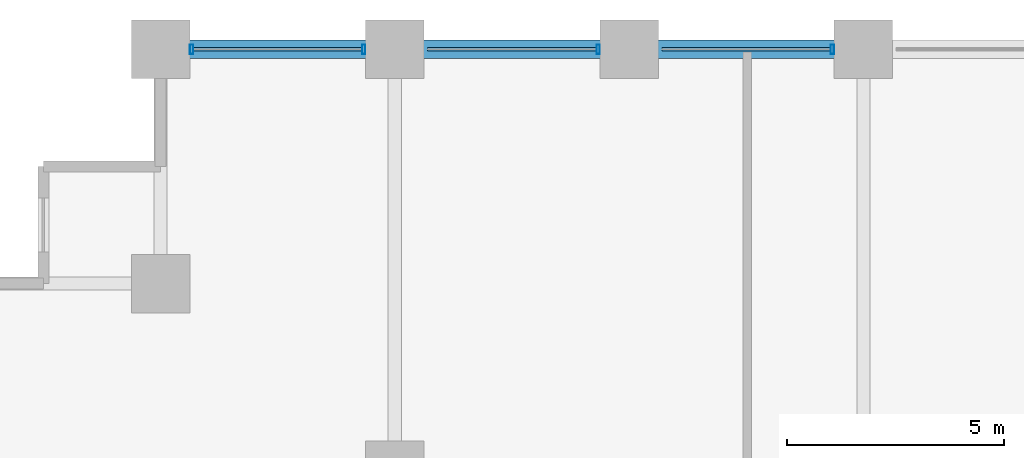
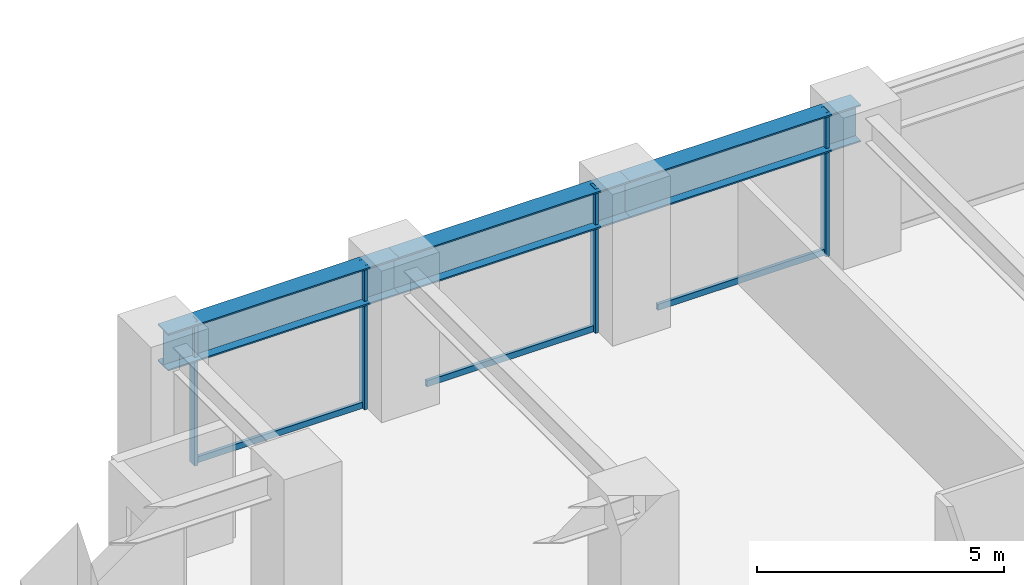
# One storey, part 12 of 25: 7 members, 3 beams, 1 element without a shape of its own.
"""IFC4 building model written with IfcOpenShell, lengths in metres."""

import ifcopenshell
import ifcopenshell.guid

model = None  # the IFC model being written
_history = None  # IfcOwnerHistory: only IFC2X3 demands one
_inside = {}  # id of a spatial element -> (the spatial element, [elements in it])
_under = {}  # id of a project, library or spatial element -> (it, [spatial elements below it])
_declared = {}  # id of a project -> (the project, [libraries it declares])
_typed = {}  # id of a type object -> (the type object, [elements of that type])
_made_of = {}  # id of a material, layer set ... -> (it, [elements and type objects made of it])


def new_model(schema):
    """Start an empty IFC model of exactly this schema.

    Asked for "IFC4X3", IfcOpenShell would pick the latest addendum, in which some entities
    have other attributes; the version numbers below select the first issue.
    IFC2X3 requires an IfcOwnerHistory on every rooted entity: one is made here for all.
    """
    global model, _history
    if schema == "IFC4X3":
        model = ifcopenshell.file(schema_version=(4, 3, 0, 0))
    else:
        model = ifcopenshell.file(schema=schema)
    _inside.clear()
    _under.clear()
    _declared.clear()
    _typed.clear()
    _made_of.clear()
    _history = None
    if model.schema == "IFC2X3":
        org = make("IfcOrganization", Name="unknown")
        user = make(
            "IfcPersonAndOrganization",
            ThePerson=make("IfcPerson", FamilyName="unknown"),
            TheOrganization=org,
        )
        app = make(
            "IfcApplication",
            ApplicationDeveloper=org,
            Version="unknown",
            ApplicationFullName="unknown",
            ApplicationIdentifier="unknown",
        )
        _history = make(
            "IfcOwnerHistory",
            OwningUser=user,
            OwningApplication=app,
            ChangeAction="ADDED",
            CreationDate=0,
        )
    return model


def make(cls, **values):
    """One entity of the class cls with the attributes given. An attribute that is None is left unset."""
    return model.create_entity(
        cls, **{name: value for name, value in values.items() if value is not None}
    )


def rooted(cls, **values):
    """An entity with a GlobalId (a new one), such as an element, a storey or a relation."""
    return make(cls, GlobalId=ifcopenshell.guid.new(), OwnerHistory=_history, **values)


def si_unit(unit_type, name, prefix=None):
    """IfcSIUnit, for example si_unit("LENGTHUNIT", "METRE", prefix="MILLI")."""
    return make("IfcSIUnit", UnitType=unit_type, Prefix=prefix, Name=name)


def assignment(units):
    """IfcUnitAssignment: the units of a project."""
    return None if units is None else make("IfcUnitAssignment", Units=units)


def point(xyz):
    """IfcCartesianPoint."""
    return None if xyz is None else make("IfcCartesianPoint", Coordinates=xyz)


def direction(xyz):
    """IfcDirection."""
    return None if xyz is None else make("IfcDirection", DirectionRatios=xyz)


def frame(location, z_axis=None, x_axis=None):
    """IfcAxis2Placement3D, a coordinate frame: its origin and axes. An axis left out is left unset."""
    return make(
        "IfcAxis2Placement3D",
        Location=point(location),
        Axis=direction(z_axis),
        RefDirection=direction(x_axis),
    )


def frame_2d(location, x_axis=None):
    """IfcAxis2Placement2D, a coordinate frame in the plane: its origin and x axis."""
    return make(
        "IfcAxis2Placement2D", Location=point(location), RefDirection=direction(x_axis)
    )


def origin():
    """The frame at (0, 0, 0) with its axes left unset."""
    return frame((0.0, 0.0, 0.0))


def origin_2d():
    """The frame at (0, 0) in the plane with its x axis left unset."""
    return frame_2d((0.0, 0.0))


def place(relative_to, where):
    """IfcLocalPlacement: puts the frame where relative to a parent placement (None: the world)."""
    return make(
        "IfcLocalPlacement", PlacementRelTo=relative_to, RelativePlacement=where
    )


def context(
    kind, dimensions, precision=None, world=None, true_north=None, identifier=None
):
    """IfcGeometricRepresentationContext, for example the 3D "Model" context."""
    return make(
        "IfcGeometricRepresentationContext",
        ContextIdentifier=identifier,
        ContextType=kind,
        CoordinateSpaceDimension=dimensions,
        Precision=precision,
        WorldCoordinateSystem=world,
        TrueNorth=true_north,
    )


def subcontext(parent, identifier, kind, view, scale=None):
    """IfcGeometricRepresentationSubContext, for example "Body" below "Model"."""
    return make(
        "IfcGeometricRepresentationSubContext",
        ContextIdentifier=identifier,
        ContextType=kind,
        ParentContext=parent,
        TargetScale=scale,
        TargetView=view,
    )


def project(units=None, contexts=None):
    """IfcProject with its units and contexts."""
    return rooted(
        "IfcProject",
        Name="project",
        RepresentationContexts=contexts,
        UnitsInContext=assignment(units),
    )


def spatial(cls, under=None, at=None, **own):
    """A site, building, storey or space (cls), placed at a placement, below another one or the project."""
    s = rooted(cls, ObjectPlacement=at, **own)
    if under is not None:
        _under.setdefault(under.id(), (under, []))[1].append(s)
    return s


def profile(cls, at=None, kind="AREA", **sizes):
    """A parametric profile (cls). Its sizes go by their IFC names, for example OverallWidth=200.0."""
    return make(cls, ProfileType=kind, Position=at, **sizes)


def hollow_rectangle(**sizes):
    """IfcRectangleHollowProfileDef."""
    return profile("IfcRectangleHollowProfileDef", **sizes)


def i_section(**sizes):
    """IfcIShapeProfileDef."""
    return profile("IfcIShapeProfileDef", **sizes)


def extrude(swept, where, along, depth):
    """IfcExtrudedAreaSolid: the profile swept, set in the frame where, extruded along a direction by depth."""
    return make(
        "IfcExtrudedAreaSolid",
        SweptArea=swept,
        Position=where,
        ExtrudedDirection=direction(along),
        Depth=depth,
    )


def shape(context_of_items, identifier, shape_type, items):
    """IfcShapeRepresentation: the items that make up one representation, for example the "Body"."""
    return make(
        "IfcShapeRepresentation",
        ContextOfItems=context_of_items,
        RepresentationIdentifier=identifier,
        RepresentationType=shape_type,
        Items=items,
    )


def material(Name=None, Category=None):
    """IfcMaterial."""
    return make("IfcMaterial", Name=Name, Category=Category)


def layer(
    of_material, thickness, ventilated=None, Name=None, Category=None, Priority=None
):
    """IfcMaterialLayer: one layer of a wall or slab, of a material (None: an air gap)."""
    return make(
        "IfcMaterialLayer",
        Material=of_material,
        LayerThickness=thickness,
        IsVentilated=ventilated,
        Name=Name,
        Category=Category,
        Priority=Priority,
    )


def layer_set(layers, Name=None):
    """IfcMaterialLayerSet."""
    return make("IfcMaterialLayerSet", MaterialLayers=layers, LayerSetName=Name)


def material_profile(
    of_material, cross_section, Name=None, Category=None, Priority=None
):
    """IfcMaterialProfile: a cross section and its material."""
    return make(
        "IfcMaterialProfile",
        Name=Name,
        Material=of_material,
        Profile=cross_section,
        Priority=Priority,
        Category=Category,
    )


def profile_set(profiles, Name=None, composite=None):
    """IfcMaterialProfileSet."""
    return make(
        "IfcMaterialProfileSet",
        Name=Name,
        MaterialProfiles=profiles,
        CompositeProfile=composite,
    )


def made_of(thing, what):
    """Note that an element or type object is made of a material, layer set ...; save() writes the relation."""
    if what is not None:
        _made_of.setdefault(what.id(), (what, []))[1].append(thing)
    return thing


def type_object(cls, material=None, **own):
    """A type object (cls), such as IfcWallType, which elements share."""
    return made_of(rooted(cls, **own), material)


def element(
    cls,
    number,
    at=None,
    inside=None,
    cuts=None,
    type_object=None,
    material=None,
    context=None,
    identifier="Body",
    shape_type=None,
    held_by="IfcProductDefinitionShape",
    body=None,
    shapes=None,
    **own,
):
    """One element of the class cls, such as IfcWall. Its Tag is "e" and its number.

    at: its placement. inside: the storey or other place that contains it. cuts: it is an
    opening in that element (IfcRelVoidsElement). A single representation is given by context,
    identifier, shape_type and body (its items); several are given by shapes. held_by: the class
    of the entity that holds the representations. save() writes the other relations.
    """
    e = rooted(cls, Tag="e%d" % number, ObjectPlacement=at, **own)
    if body is not None:
        shapes = [shape(context, identifier, shape_type, body)]
    if shapes is not None:
        e.Representation = make(held_by, Representations=shapes)
    if inside is not None:
        _inside.setdefault(inside.id(), (inside, []))[1].append(e)
    if cuts is not None:
        rooted(
            "IfcRelVoidsElement", RelatingBuildingElement=cuts, RelatedOpeningElement=e
        )
    if type_object is not None:
        _typed.setdefault(type_object.id(), (type_object, []))[1].append(e)
    return made_of(e, material)


def aggregate(whole, parts):
    """IfcRelAggregates: a whole, such as a stair, and the parts it consists of."""
    return rooted("IfcRelAggregates", RelatingObject=whole, RelatedObjects=parts)


def save(model, path):
    """Write the relations noted so far, then the file.

    IfcRelAggregates (storeys below a building ...), IfcRelContainedInSpatialStructure (elements
    in a storey), IfcRelDefinesByType, IfcRelAssociatesMaterial and IfcRelDeclares: one each for
    every whole, place, type object, material and project.
    """
    for whole, parts in _under.values():
        aggregate(whole, parts)
    for where, things in _inside.values():
        rooted(
            "IfcRelContainedInSpatialStructure",
            RelatedElements=things,
            RelatingStructure=where,
        )
    for kind, things in _typed.values():
        rooted("IfcRelDefinesByType", RelatedObjects=things, RelatingType=kind)
    for what, things in _made_of.values():
        rooted("IfcRelAssociatesMaterial", RelatedObjects=things, RelatingMaterial=what)
    for by, libraries in _declared.values():
        rooted("IfcRelDeclares", RelatingContext=by, RelatedDefinitions=libraries)
    model.write(path)


model = new_model("IFC4")

# Units and contexts
model_context = context("Model", 3, precision=1e-05, world=origin(), true_north=direction((0.0, 1.0)))
body_context = subcontext(model_context, "Body", "Model", "MODEL_VIEW")
ifc_project = project(units=[si_unit("LENGTHUNIT", "METRE"), si_unit("AREAUNIT", "SQUARE_METRE"), si_unit("VOLUMEUNIT", "CUBIC_METRE"), si_unit("PLANEANGLEUNIT", "RADIAN"), si_unit("MASSUNIT", "GRAM", prefix="KILO")], contexts=[model_context])

# Site, building, storey
site_placement = place(None, origin())
site = spatial("IfcSite", under=ifc_project, at=site_placement, CompositionType="ELEMENT")
building_placement = place(site_placement, origin())
building = spatial("IfcBuilding", under=site, at=building_placement, Name="Surkhivell Harbour Commons", CompositionType="ELEMENT")
storey_placement = place(building_placement, frame((0.0, 0.0, 33.75)))
storey = spatial("IfcBuildingStorey", under=building, at=storey_placement, Name="L08", CompositionType="ELEMENT", Elevation=33.75)

# Beams
ifc_material_1 = material(Name="Steel S460", Category="steel")
ifc_material_profile_1 = material_profile(ifc_material_1, i_section(OverallWidth=0.419921875, OverallDepth=0.9208984375, WebThickness=0.021484375, FlangeThickness=0.03662109375, at=origin_2d()), Name="UB914x419x388")
ifc_profile_set_1 = profile_set([ifc_material_profile_1], Name="Steel S460")
beam_type = type_object("IfcBeamType", Name="BM-SPN-914A", PredefinedType="SPANDREL", material=ifc_profile_set_1)
beam_1_placement = place(storey_placement, frame((-27.0, 25.89990234375, 3.109619140625), z_axis=(1.0, 0.0, 0.0), x_axis=(0.0, 1.0, 0.0)))
element("IfcBeam", 1, at=beam_1_placement, inside=storey, type_object=beam_type, Name="L08 Tube Spandrel (-27.0,25.9)", PredefinedType="SPANDREL", context=body_context, shape_type="SweptSolid", body=[
    extrude(i_section(OverallWidth=0.419921875, OverallDepth=0.9208984375, WebThickness=0.021484375, FlangeThickness=0.03662109375, at=origin_2d()), origin(), (0.0, 0.0, 1.0), 5.39990234375),
])
beam_2_placement = place(storey_placement, frame((-21.60009765625, 25.89990234375, 3.109619140625), z_axis=(1.0, 0.0, 0.0), x_axis=(0.0, 1.0, 0.0)))
element("IfcBeam", 2, at=beam_2_placement, inside=storey, type_object=beam_type, Name="L08 Tube Spandrel (-21.6,25.9)", PredefinedType="SPANDREL", context=body_context, shape_type="SweptSolid", body=[
    extrude(i_section(OverallWidth=0.419921875, OverallDepth=0.9208984375, WebThickness=0.021484375, FlangeThickness=0.03662109375, at=origin_2d()), origin(), (0.0, 0.0, 1.0), 5.400146484375),
])
beam_3_placement = place(storey_placement, frame((-16.199951171875, 25.89990234375, 3.109619140625), z_axis=(1.0, 0.0, 0.0), x_axis=(0.0, 1.0, 0.0)))
element("IfcBeam", 3, at=beam_3_placement, inside=storey, type_object=beam_type, Name="L08 Tube Spandrel (-16.2,25.9)", PredefinedType="SPANDREL", context=body_context, shape_type="SweptSolid", body=[
    extrude(i_section(OverallWidth=0.419921875, OverallDepth=0.9208984375, WebThickness=0.021484375, FlangeThickness=0.03662109375, at=origin_2d()), origin(), (0.0, 0.0, 1.0), 5.39990234375),
])

# Curtain wall, members
ifc_material_2 = material(Name="Anodised pale-metal aluminium and insulated glazing", Category="aluminium")
ifc_layer = layer(ifc_material_2, 0.219970703125)
ifc_layer_set = layer_set([ifc_layer], Name="Anodised pale-metal aluminium and insulated glazing")
curtain_wall_type = type_object("IfcCurtainWallType", Name="CW-SYS-Z1", PredefinedType="NOTDEFINED", material=ifc_layer_set)
curtain_wall_placement = place(storey_placement, origin())
curtain_wall = element("IfcCurtainWall", 4, at=curtain_wall_placement, inside=storey, type_object=curtain_wall_type, Name="L08 Curtain Wall CW-L08-E07S2", PredefinedType="NOTDEFINED")
ifc_material_3 = material(Name="Anodised pale-metal aluminium alloy 6063-T6", Category="aluminium")
ifc_material_profile_2 = material_profile(ifc_material_3, hollow_rectangle(XDim=0.074951171875, YDim=0.219970703125, WallThickness=0.00390625, at=origin_2d()), Name="ALU-MULL-75x220")
ifc_profile_set_2 = profile_set([ifc_material_profile_2], Name="Anodised pale-metal aluminium alloy 6063-T6")
member_type_1 = type_object("IfcMemberType", Name="CWM-220", PredefinedType="MULLION", material=ifc_profile_set_2)
member_1_placement = place(storey_placement, frame((-11.514404296875, 25.89990234375, 0.0), z_axis=(0.0, 0.0, 1.0), x_axis=(-1.0, 0.0, 0.0)))
member_1 = element("IfcMember", 5, at=member_1_placement, type_object=member_type_1, Name="CW-Z1 mullion 2", PredefinedType="MULLION", context=body_context, shape_type="SweptSolid", body=[
    extrude(hollow_rectangle(XDim=0.074951171875, YDim=0.219970703125, WallThickness=0.00390625, at=origin_2d()), origin(), (0.0, 0.0, 1.0), 3.570068359375),
])
member_2_placement = place(storey_placement, frame((-16.91455078125, 25.89990234375, 0.0), z_axis=(0.0, 0.0, 1.0), x_axis=(-1.0, 0.0, 0.0)))
member_2 = element("IfcMember", 6, at=member_2_placement, type_object=member_type_1, Name="CW-Z1 mullion 3", PredefinedType="MULLION", context=body_context, shape_type="SweptSolid", body=[
    extrude(hollow_rectangle(XDim=0.074951171875, YDim=0.219970703125, WallThickness=0.00390625, at=origin_2d()), origin(), (0.0, 0.0, 1.0), 3.570068359375),
])
member_3_placement = place(storey_placement, frame((-22.314453125, 25.89990234375, 0.0), z_axis=(0.0, 0.0, 1.0), x_axis=(-1.0, 0.0, 0.0)))
member_3 = element("IfcMember", 7, at=member_3_placement, type_object=member_type_1, Name="CW-Z1 mullion 4", PredefinedType="MULLION", context=body_context, shape_type="SweptSolid", body=[
    extrude(hollow_rectangle(XDim=0.074951171875, YDim=0.219970703125, WallThickness=0.00390625, at=origin_2d()), origin(), (0.0, 0.0, 1.0), 3.570068359375),
])
member_4_placement = place(storey_placement, frame((-26.285400390625, 25.89990234375, 0.0), z_axis=(0.0, 0.0, 1.0), x_axis=(-1.0, 0.0, 0.0)))
member_4 = element("IfcMember", 8, at=member_4_placement, type_object=member_type_1, Name="CW-Z1 mullion 5", PredefinedType="MULLION", context=body_context, shape_type="SweptSolid", body=[
    extrude(hollow_rectangle(XDim=0.074951171875, YDim=0.219970703125, WallThickness=0.00390625, at=origin_2d()), origin(), (0.0, 0.0, 1.0), 3.570068359375),
])
ifc_material_profile_3 = material_profile(ifc_material_3, hollow_rectangle(XDim=0.074951171875, YDim=0.14990234375, WallThickness=0.00341796875, at=origin_2d()), Name="ALU-TRAN-75x150")
ifc_profile_set_3 = profile_set([ifc_material_profile_3], Name="Anodised pale-metal aluminium alloy 6063-T6")
member_type_2 = type_object("IfcMemberType", Name="CWT-150", PredefinedType="USERDEFINED", material=ifc_profile_set_3)
member_5_placement = place(storey_placement, frame((-11.552001953125, 25.89990234375, 0.074951171875), z_axis=(-1.0, 0.0, 0.0), x_axis=(0.0, -1.0, 0.0)))
member_5 = element("IfcMember", 9, at=member_5_placement, type_object=member_type_2, Name="CW-Z1 transom 2.1", ObjectType="TRANSOM", PredefinedType="USERDEFINED", context=body_context, shape_type="SweptSolid", body=[
    extrude(hollow_rectangle(XDim=0.074951171875, YDim=0.14990234375, WallThickness=0.00341796875, at=origin_2d()), origin(), (0.0, 0.0, 1.0), 3.89599609375),
])
member_6_placement = place(storey_placement, frame((-16.951904296875, 25.89990234375, 0.074951171875), z_axis=(-1.0, 0.0, 0.0), x_axis=(0.0, -1.0, 0.0)))
member_6 = element("IfcMember", 10, at=member_6_placement, type_object=member_type_2, Name="CW-Z1 transom 3.1", ObjectType="TRANSOM", PredefinedType="USERDEFINED", context=body_context, shape_type="SweptSolid", body=[
    extrude(hollow_rectangle(XDim=0.074951171875, YDim=0.14990234375, WallThickness=0.00341796875, at=origin_2d()), origin(), (0.0, 0.0, 1.0), 3.89599609375),
])
member_7_placement = place(storey_placement, frame((-22.35205078125, 25.89990234375, 0.074951171875), z_axis=(-1.0, 0.0, 0.0), x_axis=(0.0, -1.0, 0.0)))
member_7 = element("IfcMember", 11, at=member_7_placement, type_object=member_type_2, Name="CW-Z1 transom 4.1", ObjectType="TRANSOM", PredefinedType="USERDEFINED", context=body_context, shape_type="SweptSolid", body=[
    extrude(hollow_rectangle(XDim=0.074951171875, YDim=0.14990234375, WallThickness=0.00341796875, at=origin_2d()), origin(), (0.0, 0.0, 1.0), 3.89599609375),
])
aggregate(curtain_wall, [member_1, member_5, member_2, member_6, member_3, member_4, member_7])

save(model, "model.ifc")
